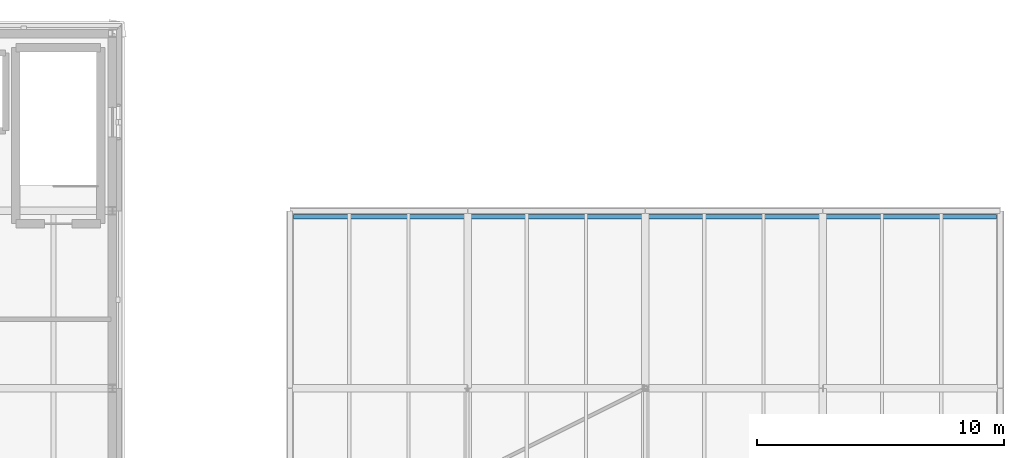
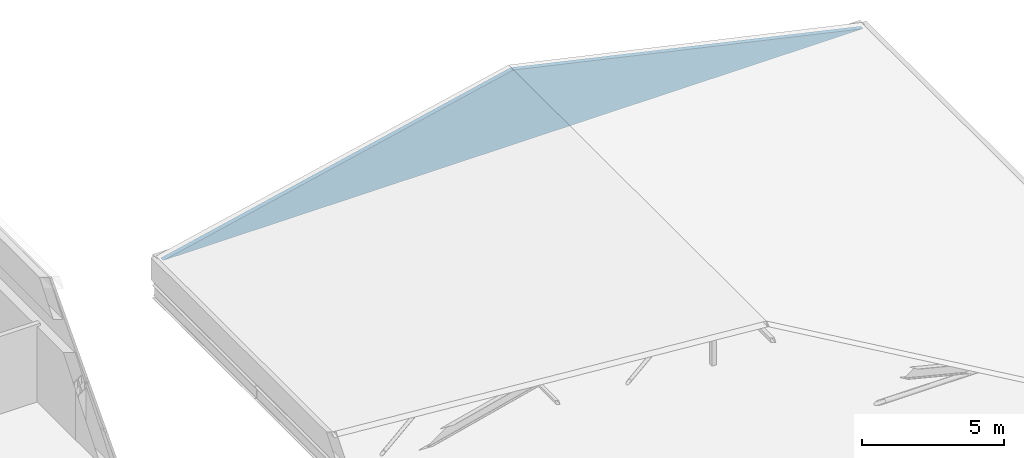
# One storey, part 21 of 44: 1 plate.
"""IFC4 building model written with IfcOpenShell, lengths in metres."""

from ifc_helpers import new_model, si_unit, direction, frame, origin, place, context, subcontext, project, spatial, polyline, outline, extrude, material, layer, layer_set, type_object, element, save


model = new_model("IFC4")

# Units and contexts
model_context = context("Model", 3, precision=1e-05, world=origin(), true_north=direction((0.0, 1.0)))
body_context = subcontext(model_context, "Body", "Model", "MODEL_VIEW")
ifc_project = project(units=[si_unit("LENGTHUNIT", "METRE"), si_unit("AREAUNIT", "SQUARE_METRE"), si_unit("VOLUMEUNIT", "CUBIC_METRE"), si_unit("PLANEANGLEUNIT", "RADIAN"), si_unit("MASSUNIT", "GRAM", prefix="KILO")], contexts=[model_context])

# Site, building, storey
site_placement = place(None, origin())
site = spatial("IfcSite", under=ifc_project, at=site_placement, CompositionType="ELEMENT")
building_placement = place(site_placement, origin())
building = spatial("IfcBuilding", under=site, at=building_placement, Name="Narikvali Park Central Library", CompositionType="ELEMENT")
storey_placement = place(building_placement, frame((0.0, 0.0, 22.800048828125)))
storey = spatial("IfcBuildingStorey", under=building, at=storey_placement, Name="L05", CompositionType="ELEMENT", Elevation=22.800048828125)

# Plate
ifc_material = material(Name="White Honed Limestone Cladding", Category="masonry")
ifc_layer = layer(ifc_material, 0.179931640625, Name="White Honed Limestone Cladding")
ifc_layer_set = layer_set([ifc_layer], Name="White Honed Limestone Cladding")
plate_type = type_object("IfcPlateType", Name="Classical Limestone Gable Tympanum 180", PredefinedType="SHEET", material=ifc_layer_set)
plate_placement = place(storey_placement, frame((57.449951171875, 100.64990234375, 0.919921875), z_axis=(0.0, 1.0, 0.0), x_axis=(-1.0, 0.0, 0.0)))
element("IfcPlate", 1, at=plate_placement, inside=storey, type_object=plate_type, Name="V4 L05 Classical Gable Pediment Tympanum N", PredefinedType="SHEET", context=body_context, shape_type="SweptSolid", body=[
    extrude(outline(polyline([(0.0, 0.0), (28.5, 0.0), (14.25, 3.2099609375), (0.0, 0.0)])), origin(), (0.0, 0.0, -1.0), 0.179931640625),
])

save(model, "model.ifc")
